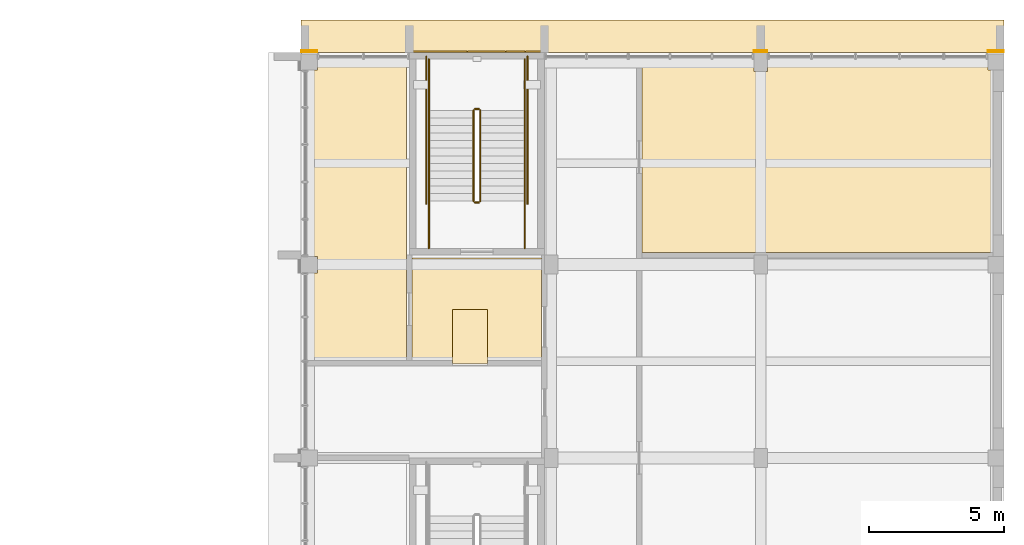
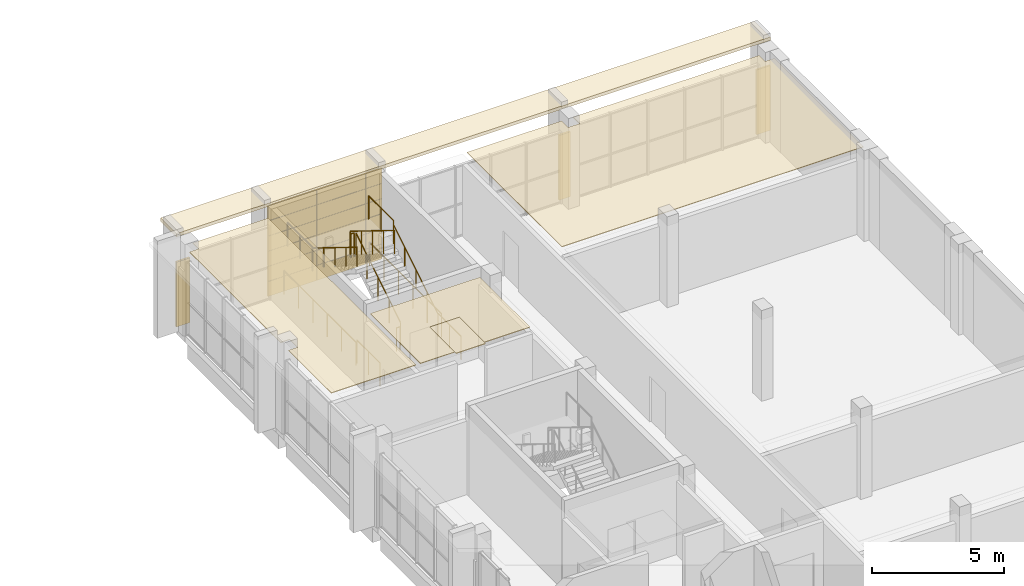
# One storey, part 42 of 42: 12 railings, 7 coverings.
"""IFC4 building model written with IfcOpenShell, lengths in metres."""

from ifc_helpers import new_model, si_unit, direction, frame, origin, origin_2d, place, context, subcontext, project, spatial, polyline, rectangle, circle, outline, extrude, material, layer, layer_set, type_object, element, save


model = new_model("IFC4")

# Units and contexts
model_context = context("Model", 3, precision=1e-05, world=origin(), true_north=direction((0.0, 1.0)))
body_context = subcontext(model_context, "Body", "Model", "MODEL_VIEW")
ifc_project = project(units=[si_unit("LENGTHUNIT", "METRE"), si_unit("AREAUNIT", "SQUARE_METRE"), si_unit("VOLUMEUNIT", "CUBIC_METRE"), si_unit("PLANEANGLEUNIT", "RADIAN"), si_unit("MASSUNIT", "GRAM", prefix="KILO")], contexts=[model_context])

# Site, building, storey
site_placement = place(None, origin())
site = spatial("IfcSite", under=ifc_project, at=site_placement, CompositionType="ELEMENT")
building_placement = place(site_placement, origin())
building = spatial("IfcBuilding", under=site, at=building_placement, Name="Sun Court Science Centre", CompositionType="ELEMENT")
storey_placement = place(building_placement, frame((0.0, 0.0, 20.25)))
storey = spatial("IfcBuildingStorey", under=building, at=storey_placement, Name="L04", CompositionType="ELEMENT", Elevation=20.25)

# Coverings
ifc_material_1 = material(Name="Gypsum board")
ifc_layer_1 = layer(ifc_material_1, 0.030029296875)
ifc_layer_set_1 = layer_set([ifc_layer_1], Name="Gypsum board")
covering_type_1 = type_object("IfcCoveringType", Name="Ceiling suspended 600 module", PredefinedType="CEILING", material=ifc_layer_set_1)
covering_1_placement = place(storey_placement, frame((0.0, 0.0, 3.77001953125)))
element("IfcCovering", 1, at=covering_1_placement, inside=storey, type_object=covering_type_1, Name="L04-011 ceiling", PredefinedType="CEILING", context=body_context, shape_type="SweptSolid", body=[
    extrude(outline(polyline([(84.89990234375, 71.5), (83.60009765625, 71.5), (83.60009765625, 69.60009765625), (82.10009765625, 69.60009765625), (82.10009765625, 73.39990234375), (86.89990234375, 73.39990234375), (86.89990234375, 69.60009765625), (84.89990234375, 69.60009765625), (84.89990234375, 71.5)])), origin(), (0.0, 0.0, 1.0), 0.030029296875),
])
covering_2_placement = place(storey_placement, frame((0.0, 0.0, 3.77001953125)))
element("IfcCovering", 2, at=covering_2_placement, inside=storey, type_object=covering_type_1, Name="L04-017 ceiling", PredefinedType="CEILING", context=body_context, shape_type="SweptSolid", body=[
    extrude(outline(polyline([(78.60009765625, 80.800048828125), (81.89990234375, 80.800048828125), (81.89990234375, 69.60009765625), (78.199951171875, 69.60009765625), (78.199951171875, 72.85009765625), (78.60009765625, 72.85009765625), (78.60009765625, 73.449951171875), (78.199951171875, 73.449951171875), (78.199951171875, 80.35009765625), (78.60009765625, 80.35009765625), (78.60009765625, 80.800048828125)])), origin(), (0.0, 0.0, 1.0), 0.030029296875),
])
covering_3_placement = place(storey_placement, frame((0.0, 0.0, 3.77001953125)))
element("IfcCovering", 3, at=covering_3_placement, inside=storey, type_object=covering_type_1, Name="L04-022 ceiling", PredefinedType="CEILING", context=body_context, shape_type="SweptSolid", body=[
    extrude(outline(polyline([(103.800048828125, 80.35009765625), (103.800048828125, 73.60009765625), (90.60009765625, 73.60009765625), (90.60009765625, 80.800048828125), (94.75, 80.800048828125), (94.75, 80.300048828125), (95.25, 80.300048828125), (95.25, 80.800048828125), (103.39990234375, 80.800048828125), (103.39990234375, 80.35009765625), (103.800048828125, 80.35009765625)])), origin(), (0.0, 0.0, 1.0), 0.030029296875),
])
covering_4_placement = place(storey_placement, frame((0.0, 0.0, 3.77001953125)))
element("IfcCovering", 4, at=covering_4_placement, inside=storey, type_object=covering_type_1, Name="L04-025 ceiling", PredefinedType="CEILING", context=body_context, shape_type="SweptSolid", body=[
    extrude(outline(polyline([(84.89990234375, 71.5), (84.89990234375, 69.5), (83.60009765625, 69.5), (83.60009765625, 71.5), (84.89990234375, 71.5)])), origin(), (0.0, 0.0, 1.0), 0.030029296875),
])

# Railings
ifc_material_2 = material(Name="Steel S275", Category="steel")
railing_type_1 = type_object("IfcRailingType", Name="Guard 1100 steel balustrade", PredefinedType="GUARDRAIL", material=ifc_material_2)
railing_1_placement = place(storey_placement, frame((84.625, 75.498046875, 0.173095703125)))
element("IfcRailing", 5, at=railing_1_placement, inside=storey, type_object=railing_type_1, Name="L04 SL4 stair guard 1", PredefinedType="GUARDRAIL", context=body_context, shape_type="SweptSolid", body=[
    extrude(circle(Radius=0.02392578125, at=origin_2d()), frame((0.0, 0.0, 1.076171875), z_axis=(0.0, 0.850606129759, 0.525803396734), x_axis=(-1.0, 0.0, 0.0)), (0.0, 0.0, 1.0), 3.949951171875),
    extrude(circle(Radius=0.02099609375, at=origin_2d()), origin(), (0.0, 0.0, 1.0), 1.052001953125),
    extrude(circle(Radius=0.02099609375, at=origin_2d()), frame((0.0, 0.83984375, 0.519287109375)), (0.0, 0.0, 1.0), 1.052001953125),
    extrude(circle(Radius=0.02099609375, at=origin_2d()), frame((0.0, 1.679931640625, 1.03857421875)), (0.0, 0.0, 1.0), 1.052001953125),
    extrude(circle(Radius=0.02099609375, at=origin_2d()), frame((0.0, 2.52001953125, 1.5576171875)), (0.0, 0.0, 1.0), 1.052001953125),
    extrude(circle(Radius=0.02099609375, at=origin_2d()), frame((0.0, 3.35986328125, 2.076904296875)), (0.0, 0.0, 1.0), 1.052001953125),
])
railing_2_placement = place(storey_placement, frame((84.574951171875, 78.907958984375, 2.25)))
element("IfcRailing", 6, at=railing_2_placement, inside=storey, type_object=railing_type_1, Name="L04 SL4 stair guard 2", PredefinedType="GUARDRAIL", context=body_context, shape_type="SweptSolid", body=[
    extrude(circle(Radius=0.02392578125, at=origin_2d()), frame((0.0, 0.0, 1.076171875), z_axis=(-1.0, 0.0, 0.0), x_axis=(0.0, -1.0, 0.0)), (0.0, 0.0, 1.0), 0.14990234375),
    extrude(circle(Radius=0.02099609375, at=origin_2d()), origin(), (0.0, 0.0, 1.0), 1.052001953125),
    extrude(circle(Radius=0.02099609375, at=origin_2d()), frame((-0.14990234375, 0.0, 0.0)), (0.0, 0.0, 1.0), 1.052001953125),
])
for number, where, name in (
    (7, (86.27294921875, 78.85791015625, 2.25), "L04 SL4 stair guard 3"),
    (8, (82.72705078125, 78.85791015625, 2.25), "L04 SL4 stair guard 4"),
):
    element("IfcRailing", number, at=place(storey_placement, frame(where)), inside=storey, type_object=railing_type_1, Name=name, PredefinedType="GUARDRAIL", context=body_context, shape_type="SweptSolid", body=[
        extrude(circle(Radius=0.02392578125, at=origin_2d()), frame((0.0, 0.0, 1.076171875), z_axis=(0.0, 1.0, 0.0), x_axis=(-1.0, 0.0, 0.0)), (0.0, 0.0, 1.0), 1.89208984375),
        extrude(circle(Radius=0.02099609375, at=origin_2d()), origin(), (0.0, 0.0, 1.0), 1.052001953125),
        extrude(circle(Radius=0.02099609375, at=origin_2d()), frame((0.0, 0.946044921875, 0.0)), (0.0, 0.0, 1.0), 1.052001953125),
        extrude(circle(Radius=0.02099609375, at=origin_2d()), frame((0.0, 1.89208984375, 0.0)), (0.0, 0.0, 1.0), 1.052001953125),
    ])
railing_3_placement = place(storey_placement, frame((84.375, 78.85791015625, 2.423095703125)))
element("IfcRailing", 9, at=railing_3_placement, inside=storey, type_object=railing_type_1, Name="L04 SL4 stair guard 5", PredefinedType="GUARDRAIL", context=body_context, shape_type="SweptSolid", body=[
    extrude(circle(Radius=0.02392578125, at=origin_2d()), frame((0.0, 0.0, 1.076171875), z_axis=(0.0, -0.850606129759, 0.525803396734), x_axis=(1.0, 0.0, 0.0)), (0.0, 0.0, 1.0), 3.949951171875),
    extrude(circle(Radius=0.02099609375, at=origin_2d()), origin(), (0.0, 0.0, 1.0), 1.052001953125),
    extrude(circle(Radius=0.02099609375, at=origin_2d()), frame((0.0, -0.83984375, 0.519287109375)), (0.0, 0.0, 1.0), 1.052001953125),
    extrude(circle(Radius=0.02099609375, at=origin_2d()), frame((0.0, -1.679931640625, 1.03857421875)), (0.0, 0.0, 1.0), 1.052001953125),
    extrude(circle(Radius=0.02099609375, at=origin_2d()), frame((0.0, -2.52001953125, 1.5576171875)), (0.0, 0.0, 1.0), 1.052001953125),
    extrude(circle(Radius=0.02099609375, at=origin_2d()), frame((0.0, -3.35986328125, 2.076904296875)), (0.0, 0.0, 1.0), 1.052001953125),
])
railing_4_placement = place(storey_placement, frame((84.574951171875, 75.447998046875, 0.0)))
element("IfcRailing", 10, at=railing_4_placement, inside=storey, type_object=railing_type_1, Name="L04 SL4 stair guard 6", PredefinedType="GUARDRAIL", context=body_context, shape_type="SweptSolid", body=[
    extrude(circle(Radius=0.02392578125, at=origin_2d()), frame((0.0, 0.0, 1.076171875), z_axis=(-1.0, 0.0, 0.0), x_axis=(0.0, -1.0, 0.0)), (0.0, 0.0, 1.0), 0.14990234375),
    extrude(circle(Radius=0.02099609375, at=origin_2d()), origin(), (0.0, 0.0, 1.0), 1.052001953125),
    extrude(circle(Radius=0.02099609375, at=origin_2d()), frame((-0.14990234375, 0.0, 0.0)), (0.0, 0.0, 1.0), 1.052001953125),
])
for number, where, name in (
    (11, (86.27294921875, 73.75, 0.0), "L04 SL4 stair guard 7"),
    (12, (82.72705078125, 73.75, 0.0), "L04 SL4 stair guard 8"),
):
    element("IfcRailing", number, at=place(storey_placement, frame(where)), inside=storey, type_object=railing_type_1, Name=name, PredefinedType="GUARDRAIL", context=body_context, shape_type="SweptSolid", body=[
        extrude(circle(Radius=0.02392578125, at=origin_2d()), frame((0.0, 0.0, 1.076171875), z_axis=(0.0, 1.0, 0.0), x_axis=(-1.0, 0.0, 0.0)), (0.0, 0.0, 1.0), 1.748046875),
        extrude(circle(Radius=0.02099609375, at=origin_2d()), origin(), (0.0, 0.0, 1.0), 1.052001953125),
        extrude(circle(Radius=0.02099609375, at=origin_2d()), frame((0.0, 0.8740234375, 0.0)), (0.0, 0.0, 1.0), 1.052001953125),
        extrude(circle(Radius=0.02099609375, at=origin_2d()), frame((0.0, 1.748046875, 0.0)), (0.0, 0.0, 1.0), 1.052001953125),
    ])
for number, where, name in (
    (13, (86.373046875, 75.39794921875, 0.0), "L04 SL4 stair guard 9"),
    (14, (82.626953125, 75.39794921875, 0.0), "L04 SL4 stair guard 10"),
):
    element("IfcRailing", number, at=place(storey_placement, frame(where)), inside=storey, type_object=railing_type_1, Name=name, PredefinedType="GUARDRAIL", context=body_context, shape_type="SweptSolid", body=[
        extrude(circle(Radius=0.02392578125, at=origin_2d()), frame((0.0, 0.0, 1.076171875), z_axis=(0.0, 1.0, 0.0), x_axis=(-1.0, 0.0, 0.0)), (0.0, 0.0, 1.0), 5.4521484375),
        extrude(circle(Radius=0.02099609375, at=origin_2d()), origin(), (0.0, 0.0, 1.0), 1.052001953125),
        extrude(circle(Radius=0.02099609375, at=origin_2d()), frame((0.0, 1.09033203125, 0.0)), (0.0, 0.0, 1.0), 1.052001953125),
        extrude(circle(Radius=0.02099609375, at=origin_2d()), frame((0.0, 2.180908203125, 0.0)), (0.0, 0.0, 1.0), 1.052001953125),
        extrude(circle(Radius=0.02099609375, at=origin_2d()), frame((0.0, 3.271240234375, 0.0)), (0.0, 0.0, 1.0), 1.052001953125),
        extrude(circle(Radius=0.02099609375, at=origin_2d()), frame((0.0, 4.36181640625, 0.0)), (0.0, 0.0, 1.0), 1.052001953125),
        extrude(circle(Radius=0.02099609375, at=origin_2d()), frame((0.0, 5.4521484375, 0.0)), (0.0, 0.0, 1.0), 1.052001953125),
    ])
ifc_material_3 = material(Name="Stainless steel", Category="steel")
railing_type_2 = type_object("IfcRailingType", Name="Handrail 900 stainless", PredefinedType="HANDRAIL", material=ifc_material_3)
railing_5_placement = place(storey_placement, frame((86.27294921875, 75.498046875, 0.173095703125)))
element("IfcRailing", 15, at=railing_5_placement, inside=storey, type_object=railing_type_2, Name="L04 SL4 stair handrail 1", PredefinedType="HANDRAIL", context=body_context, shape_type="SweptSolid", body=[
    extrude(circle(Radius=0.02392578125, at=origin_2d()), frame((0.0, 0.0, 0.8759765625), z_axis=(0.0, 0.850606129759, 0.525803396734), x_axis=(-1.0, 0.0, 0.0)), (0.0, 0.0, 1.0), 3.949951171875),
    extrude(circle(Radius=0.02099609375, at=origin_2d()), origin(), (0.0, 0.0, 1.0), 0.851806640625),
    extrude(circle(Radius=0.02099609375, at=origin_2d()), frame((0.0, 0.83984375, 0.519287109375)), (0.0, 0.0, 1.0), 0.851806640625),
    extrude(circle(Radius=0.02099609375, at=origin_2d()), frame((0.0, 1.679931640625, 1.03857421875)), (0.0, 0.0, 1.0), 0.851806640625),
    extrude(circle(Radius=0.02099609375, at=origin_2d()), frame((0.0, 2.52001953125, 1.5576171875)), (0.0, 0.0, 1.0), 0.851806640625),
    extrude(circle(Radius=0.02099609375, at=origin_2d()), frame((0.0, 3.35986328125, 2.076904296875)), (0.0, 0.0, 1.0), 0.851806640625),
])
railing_6_placement = place(storey_placement, frame((82.72705078125, 78.85791015625, 2.423095703125)))
element("IfcRailing", 16, at=railing_6_placement, inside=storey, type_object=railing_type_2, Name="L04 SL4 stair handrail 2", PredefinedType="HANDRAIL", context=body_context, shape_type="SweptSolid", body=[
    extrude(circle(Radius=0.02392578125, at=origin_2d()), frame((0.0, 0.0, 0.8759765625), z_axis=(0.0, -0.850606129759, 0.525803396734), x_axis=(1.0, 0.0, 0.0)), (0.0, 0.0, 1.0), 3.949951171875),
    extrude(circle(Radius=0.02099609375, at=origin_2d()), origin(), (0.0, 0.0, 1.0), 0.851806640625),
    extrude(circle(Radius=0.02099609375, at=origin_2d()), frame((0.0, -0.83984375, 0.519287109375)), (0.0, 0.0, 1.0), 0.851806640625),
    extrude(circle(Radius=0.02099609375, at=origin_2d()), frame((0.0, -1.679931640625, 1.03857421875)), (0.0, 0.0, 1.0), 0.851806640625),
    extrude(circle(Radius=0.02099609375, at=origin_2d()), frame((0.0, -2.52001953125, 1.5576171875)), (0.0, 0.0, 1.0), 0.851806640625),
    extrude(circle(Radius=0.02099609375, at=origin_2d()), frame((0.0, -3.35986328125, 2.076904296875)), (0.0, 0.0, 1.0), 0.851806640625),
])

# Coverings
ifc_material_4 = material(Name="Red sandstone", Category="masonry")
ifc_layer_2 = layer(ifc_material_4, 0.080078125)
ifc_layer_set_2 = layer_set([ifc_layer_2], Name="Red sandstone")
covering_type_2 = type_object("IfcCoveringType", Name="Red sandstone pier cladding", PredefinedType="CLADDING", material=ifc_layer_set_2)
covering_5_placement = place(storey_placement, frame((0.0, 0.0, -20.25)))
element("IfcCovering", 17, at=covering_5_placement, inside=storey, type_object=covering_type_2, Name="Red sandstone pier cladding north face L04", PredefinedType="CLADDING", context=body_context, shape_type="SweptSolid", body=[
    extrude(rectangle(XDim=0.60009765625, YDim=0.080078125, at=origin_2d()), frame((78.300048828125, 81.0400390625, 20.25), z_axis=(0.0, 0.0, 1.0), x_axis=(1.0, 0.0, 0.0)), (0.0, 0.0, 1.0), 3.0),
    extrude(rectangle(XDim=0.5, YDim=0.080078125, at=origin_2d()), frame((95.0, 81.0400390625, 20.25), z_axis=(0.0, 0.0, 1.0), x_axis=(1.0, 0.0, 0.0)), (0.0, 0.0, 1.0), 3.0),
    extrude(rectangle(XDim=0.60009765625, YDim=0.080078125, at=origin_2d()), frame((103.699951171875, 81.0400390625, 20.25), z_axis=(0.0, 0.0, 1.0), x_axis=(1.0, 0.0, 0.0)), (0.0, 0.0, 1.0), 3.0),
])
ifc_material_5 = material(Name="Red sandstone", Category="masonry")
ifc_layer_3 = layer(ifc_material_5, 0.06005859375)
ifc_layer_set_3 = layer_set([ifc_layer_3], Name="Red sandstone")
covering_type_3 = type_object("IfcCoveringType", Name="Red sandstone wall cladding 750", PredefinedType="CLADDING", material=ifc_layer_set_3)
covering_6_placement = place(storey_placement, frame((0.0, 0.0, -20.25)))
element("IfcCovering", 18, at=covering_6_placement, inside=storey, type_object=covering_type_3, Name="Red sandstone wall cladding north face L04", PredefinedType="CLADDING", context=body_context, shape_type="SweptSolid", body=[
    extrude(rectangle(XDim=0.704345703125, YDim=0.06005859375, at=origin_2d()), frame((82.357177734375, 81.030029296875, 20.255126953125), z_axis=(0.0, 0.0, 1.0), x_axis=(1.0, 0.0, 0.0)), (0.0, 0.0, 1.0), 0.68994140625),
    extrude(rectangle(XDim=0.704345703125, YDim=0.06005859375, at=origin_2d()), frame((83.071533203125, 81.030029296875, 20.255126953125), z_axis=(0.0, 0.0, 1.0), x_axis=(1.0, 0.0, 0.0)), (0.0, 0.0, 1.0), 0.68994140625),
    extrude(rectangle(XDim=0.704345703125, YDim=0.06005859375, at=origin_2d()), frame((83.78564453125, 81.030029296875, 20.255126953125), z_axis=(0.0, 0.0, 1.0), x_axis=(1.0, 0.0, 0.0)), (0.0, 0.0, 1.0), 0.68994140625),
    extrude(rectangle(XDim=0.704345703125, YDim=0.06005859375, at=origin_2d()), frame((84.5, 81.030029296875, 20.255126953125), z_axis=(0.0, 0.0, 1.0), x_axis=(1.0, 0.0, 0.0)), (0.0, 0.0, 1.0), 0.68994140625),
    extrude(rectangle(XDim=0.704345703125, YDim=0.06005859375, at=origin_2d()), frame((85.21435546875, 81.030029296875, 20.255126953125), z_axis=(0.0, 0.0, 1.0), x_axis=(1.0, 0.0, 0.0)), (0.0, 0.0, 1.0), 0.68994140625),
    extrude(rectangle(XDim=0.704345703125, YDim=0.06005859375, at=origin_2d()), frame((85.928466796875, 81.030029296875, 20.255126953125), z_axis=(0.0, 0.0, 1.0), x_axis=(1.0, 0.0, 0.0)), (0.0, 0.0, 1.0), 0.68994140625),
    extrude(rectangle(XDim=0.704345703125, YDim=0.06005859375, at=origin_2d()), frame((86.642822265625, 81.030029296875, 20.255126953125), z_axis=(0.0, 0.0, 1.0), x_axis=(1.0, 0.0, 0.0)), (0.0, 0.0, 1.0), 0.68994140625),
    extrude(rectangle(XDim=0.704345703125, YDim=0.06005859375, at=origin_2d()), frame((82.357177734375, 81.030029296875, 20.955078125), z_axis=(0.0, 0.0, 1.0), x_axis=(1.0, 0.0, 0.0)), (0.0, 0.0, 1.0), 0.68994140625),
    extrude(rectangle(XDim=0.704345703125, YDim=0.06005859375, at=origin_2d()), frame((83.071533203125, 81.030029296875, 20.955078125), z_axis=(0.0, 0.0, 1.0), x_axis=(1.0, 0.0, 0.0)), (0.0, 0.0, 1.0), 0.68994140625),
    extrude(rectangle(XDim=0.704345703125, YDim=0.06005859375, at=origin_2d()), frame((83.78564453125, 81.030029296875, 20.955078125), z_axis=(0.0, 0.0, 1.0), x_axis=(1.0, 0.0, 0.0)), (0.0, 0.0, 1.0), 0.68994140625),
    extrude(rectangle(XDim=0.704345703125, YDim=0.06005859375, at=origin_2d()), frame((84.5, 81.030029296875, 20.955078125), z_axis=(0.0, 0.0, 1.0), x_axis=(1.0, 0.0, 0.0)), (0.0, 0.0, 1.0), 0.68994140625),
    extrude(rectangle(XDim=0.704345703125, YDim=0.06005859375, at=origin_2d()), frame((85.21435546875, 81.030029296875, 20.955078125), z_axis=(0.0, 0.0, 1.0), x_axis=(1.0, 0.0, 0.0)), (0.0, 0.0, 1.0), 0.68994140625),
    extrude(rectangle(XDim=0.704345703125, YDim=0.06005859375, at=origin_2d()), frame((85.928466796875, 81.030029296875, 20.955078125), z_axis=(0.0, 0.0, 1.0), x_axis=(1.0, 0.0, 0.0)), (0.0, 0.0, 1.0), 0.68994140625),
    extrude(rectangle(XDim=0.704345703125, YDim=0.06005859375, at=origin_2d()), frame((86.642822265625, 81.030029296875, 20.955078125), z_axis=(0.0, 0.0, 1.0), x_axis=(1.0, 0.0, 0.0)), (0.0, 0.0, 1.0), 0.68994140625),
    extrude(rectangle(XDim=0.704345703125, YDim=0.06005859375, at=origin_2d()), frame((82.357177734375, 81.030029296875, 21.655029296875), z_axis=(0.0, 0.0, 1.0), x_axis=(1.0, 0.0, 0.0)), (0.0, 0.0, 1.0), 0.68994140625),
    extrude(rectangle(XDim=0.704345703125, YDim=0.06005859375, at=origin_2d()), frame((83.071533203125, 81.030029296875, 21.655029296875), z_axis=(0.0, 0.0, 1.0), x_axis=(1.0, 0.0, 0.0)), (0.0, 0.0, 1.0), 0.68994140625),
    extrude(rectangle(XDim=0.704345703125, YDim=0.06005859375, at=origin_2d()), frame((83.78564453125, 81.030029296875, 21.655029296875), z_axis=(0.0, 0.0, 1.0), x_axis=(1.0, 0.0, 0.0)), (0.0, 0.0, 1.0), 0.68994140625),
    extrude(rectangle(XDim=0.704345703125, YDim=0.06005859375, at=origin_2d()), frame((84.5, 81.030029296875, 21.655029296875), z_axis=(0.0, 0.0, 1.0), x_axis=(1.0, 0.0, 0.0)), (0.0, 0.0, 1.0), 0.68994140625),
    extrude(rectangle(XDim=0.704345703125, YDim=0.06005859375, at=origin_2d()), frame((85.21435546875, 81.030029296875, 21.655029296875), z_axis=(0.0, 0.0, 1.0), x_axis=(1.0, 0.0, 0.0)), (0.0, 0.0, 1.0), 0.68994140625),
    extrude(rectangle(XDim=0.704345703125, YDim=0.06005859375, at=origin_2d()), frame((85.928466796875, 81.030029296875, 21.655029296875), z_axis=(0.0, 0.0, 1.0), x_axis=(1.0, 0.0, 0.0)), (0.0, 0.0, 1.0), 0.68994140625),
    extrude(rectangle(XDim=0.704345703125, YDim=0.06005859375, at=origin_2d()), frame((86.642822265625, 81.030029296875, 21.655029296875), z_axis=(0.0, 0.0, 1.0), x_axis=(1.0, 0.0, 0.0)), (0.0, 0.0, 1.0), 0.68994140625),
    extrude(rectangle(XDim=0.704345703125, YDim=0.06005859375, at=origin_2d()), frame((82.357177734375, 81.030029296875, 22.35498046875), z_axis=(0.0, 0.0, 1.0), x_axis=(1.0, 0.0, 0.0)), (0.0, 0.0, 1.0), 0.68994140625),
    extrude(rectangle(XDim=0.704345703125, YDim=0.06005859375, at=origin_2d()), frame((83.071533203125, 81.030029296875, 22.35498046875), z_axis=(0.0, 0.0, 1.0), x_axis=(1.0, 0.0, 0.0)), (0.0, 0.0, 1.0), 0.68994140625),
    extrude(rectangle(XDim=0.704345703125, YDim=0.06005859375, at=origin_2d()), frame((83.78564453125, 81.030029296875, 22.35498046875), z_axis=(0.0, 0.0, 1.0), x_axis=(1.0, 0.0, 0.0)), (0.0, 0.0, 1.0), 0.68994140625),
    extrude(rectangle(XDim=0.704345703125, YDim=0.06005859375, at=origin_2d()), frame((84.5, 81.030029296875, 22.35498046875), z_axis=(0.0, 0.0, 1.0), x_axis=(1.0, 0.0, 0.0)), (0.0, 0.0, 1.0), 0.68994140625),
    extrude(rectangle(XDim=0.704345703125, YDim=0.06005859375, at=origin_2d()), frame((85.21435546875, 81.030029296875, 22.35498046875), z_axis=(0.0, 0.0, 1.0), x_axis=(1.0, 0.0, 0.0)), (0.0, 0.0, 1.0), 0.68994140625),
    extrude(rectangle(XDim=0.704345703125, YDim=0.06005859375, at=origin_2d()), frame((85.928466796875, 81.030029296875, 22.35498046875), z_axis=(0.0, 0.0, 1.0), x_axis=(1.0, 0.0, 0.0)), (0.0, 0.0, 1.0), 0.68994140625),
    extrude(rectangle(XDim=0.704345703125, YDim=0.06005859375, at=origin_2d()), frame((86.642822265625, 81.030029296875, 22.35498046875), z_axis=(0.0, 0.0, 1.0), x_axis=(1.0, 0.0, 0.0)), (0.0, 0.0, 1.0), 0.68994140625),
    extrude(rectangle(XDim=0.704345703125, YDim=0.06005859375, at=origin_2d()), frame((82.357177734375, 81.030029296875, 23.054931640625), z_axis=(0.0, 0.0, 1.0), x_axis=(1.0, 0.0, 0.0)), (0.0, 0.0, 1.0), 0.68994140625),
    extrude(rectangle(XDim=0.704345703125, YDim=0.06005859375, at=origin_2d()), frame((83.071533203125, 81.030029296875, 23.054931640625), z_axis=(0.0, 0.0, 1.0), x_axis=(1.0, 0.0, 0.0)), (0.0, 0.0, 1.0), 0.68994140625),
    extrude(rectangle(XDim=0.704345703125, YDim=0.06005859375, at=origin_2d()), frame((83.78564453125, 81.030029296875, 23.054931640625), z_axis=(0.0, 0.0, 1.0), x_axis=(1.0, 0.0, 0.0)), (0.0, 0.0, 1.0), 0.68994140625),
    extrude(rectangle(XDim=0.704345703125, YDim=0.06005859375, at=origin_2d()), frame((84.5, 81.030029296875, 23.054931640625), z_axis=(0.0, 0.0, 1.0), x_axis=(1.0, 0.0, 0.0)), (0.0, 0.0, 1.0), 0.68994140625),
    extrude(rectangle(XDim=0.704345703125, YDim=0.06005859375, at=origin_2d()), frame((85.21435546875, 81.030029296875, 23.054931640625), z_axis=(0.0, 0.0, 1.0), x_axis=(1.0, 0.0, 0.0)), (0.0, 0.0, 1.0), 0.68994140625),
    extrude(rectangle(XDim=0.704345703125, YDim=0.06005859375, at=origin_2d()), frame((85.928466796875, 81.030029296875, 23.054931640625), z_axis=(0.0, 0.0, 1.0), x_axis=(1.0, 0.0, 0.0)), (0.0, 0.0, 1.0), 0.68994140625),
    extrude(rectangle(XDim=0.704345703125, YDim=0.06005859375, at=origin_2d()), frame((86.642822265625, 81.030029296875, 23.054931640625), z_axis=(0.0, 0.0, 1.0), x_axis=(1.0, 0.0, 0.0)), (0.0, 0.0, 1.0), 0.68994140625),
    extrude(rectangle(XDim=0.704345703125, YDim=0.06005859375, at=origin_2d()), frame((82.357177734375, 81.030029296875, 23.755126953125), z_axis=(0.0, 0.0, 1.0), x_axis=(1.0, 0.0, 0.0)), (0.0, 0.0, 1.0), 0.68994140625),
    extrude(rectangle(XDim=0.704345703125, YDim=0.06005859375, at=origin_2d()), frame((83.071533203125, 81.030029296875, 23.755126953125), z_axis=(0.0, 0.0, 1.0), x_axis=(1.0, 0.0, 0.0)), (0.0, 0.0, 1.0), 0.68994140625),
    extrude(rectangle(XDim=0.704345703125, YDim=0.06005859375, at=origin_2d()), frame((83.78564453125, 81.030029296875, 23.755126953125), z_axis=(0.0, 0.0, 1.0), x_axis=(1.0, 0.0, 0.0)), (0.0, 0.0, 1.0), 0.68994140625),
    extrude(rectangle(XDim=0.704345703125, YDim=0.06005859375, at=origin_2d()), frame((84.5, 81.030029296875, 23.755126953125), z_axis=(0.0, 0.0, 1.0), x_axis=(1.0, 0.0, 0.0)), (0.0, 0.0, 1.0), 0.68994140625),
    extrude(rectangle(XDim=0.704345703125, YDim=0.06005859375, at=origin_2d()), frame((85.21435546875, 81.030029296875, 23.755126953125), z_axis=(0.0, 0.0, 1.0), x_axis=(1.0, 0.0, 0.0)), (0.0, 0.0, 1.0), 0.68994140625),
    extrude(rectangle(XDim=0.704345703125, YDim=0.06005859375, at=origin_2d()), frame((85.928466796875, 81.030029296875, 23.755126953125), z_axis=(0.0, 0.0, 1.0), x_axis=(1.0, 0.0, 0.0)), (0.0, 0.0, 1.0), 0.68994140625),
    extrude(rectangle(XDim=0.704345703125, YDim=0.06005859375, at=origin_2d()), frame((86.642822265625, 81.030029296875, 23.755126953125), z_axis=(0.0, 0.0, 1.0), x_axis=(1.0, 0.0, 0.0)), (0.0, 0.0, 1.0), 0.68994140625),
])
ifc_material_6 = material(Name="Red sandstone", Category="masonry")
ifc_layer_4 = layer(ifc_material_6, 0.14990234375)
ifc_layer_set_4 = layer_set([ifc_layer_4], Name="Red sandstone")
covering_type_4 = type_object("IfcCoveringType", Name="Sandstone chhajja eave 1200", PredefinedType="CLADDING", material=ifc_layer_set_4)
covering_7_placement = place(storey_placement, frame((0.0, 0.0, 4.169921875)))
element("IfcCovering", 19, at=covering_7_placement, inside=storey, type_object=covering_type_4, Name="Chhajja eave north face L04", PredefinedType="CLADDING", context=body_context, shape_type="SweptSolid", body=[
    extrude(outline(polyline([(78.0, 81.0), (104.0, 81.0), (104.0, 82.199951171875), (78.0, 82.199951171875), (78.0, 81.0)])), origin(), (0.0, 0.0, 1.0), 0.150146484375),
])

save(model, "model.ifc")
